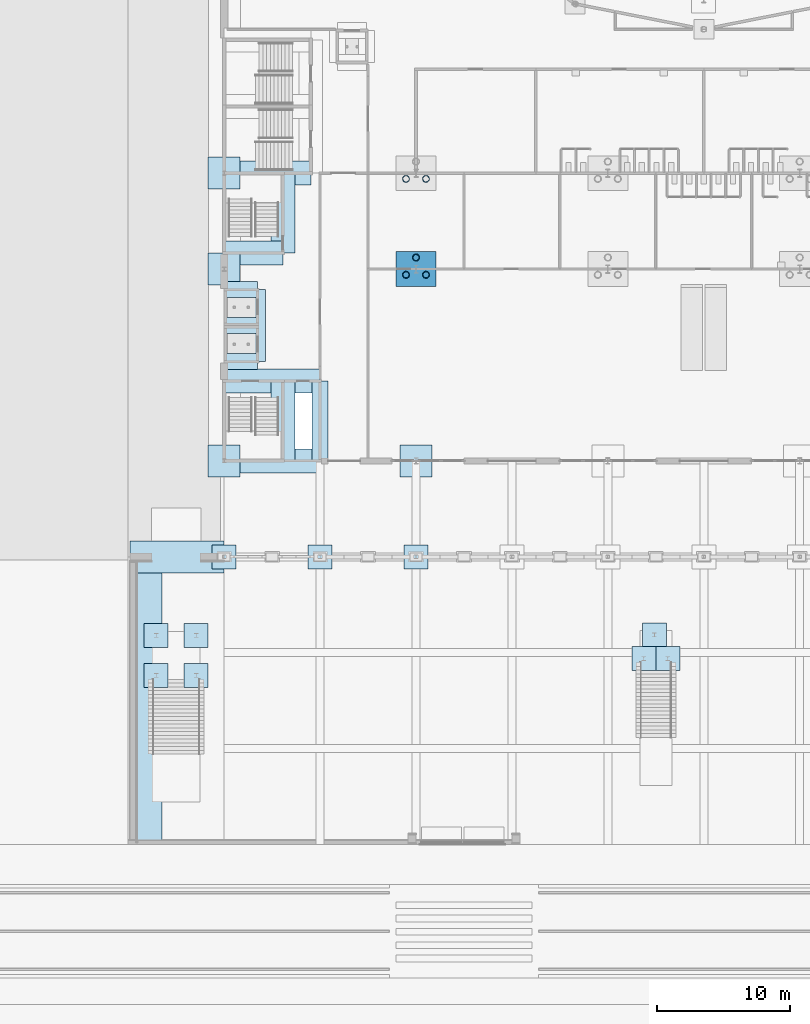
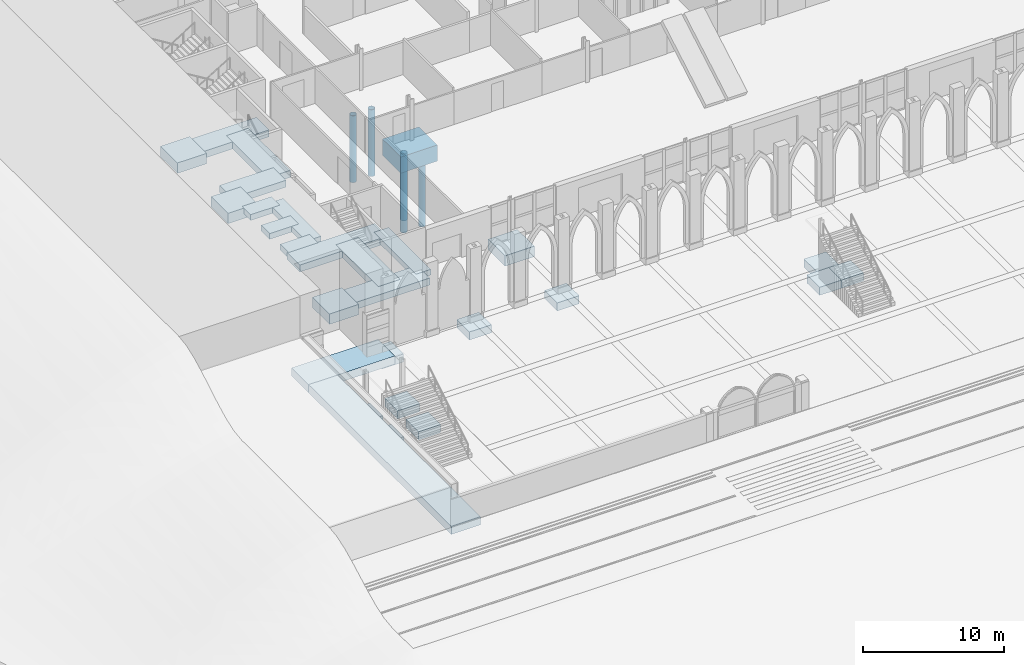
# One storey, part 1 of 148: 28 footings, 5 piles.
"""IFC4 building model written with IfcOpenShell, lengths in metres."""

from ifc_helpers import new_model, si_unit, direction, frame, origin, origin_2d, place, context, subcontext, project, spatial, rectangle, hollow_circle, extrude, material, layer, layer_set, material_profile, profile_set, type_object, element, save


model = new_model("IFC4")

# Units and contexts
model_context = context("Model", 3, precision=1e-05, world=origin(), true_north=direction((0.0, 1.0)))
body_context = subcontext(model_context, "Body", "Model", "MODEL_VIEW")
ifc_project = project(units=[si_unit("LENGTHUNIT", "METRE"), si_unit("AREAUNIT", "SQUARE_METRE"), si_unit("VOLUMEUNIT", "CUBIC_METRE"), si_unit("PLANEANGLEUNIT", "RADIAN"), si_unit("MASSUNIT", "GRAM", prefix="KILO")], contexts=[model_context])

# Site, building, storey
site_placement = place(None, origin())
site = spatial("IfcSite", under=ifc_project, at=site_placement, CompositionType="ELEMENT")
building_placement = place(site_placement, origin())
building = spatial("IfcBuilding", under=site, at=building_placement, Name="Kupolbacken Congress Centre", CompositionType="ELEMENT")
storey_placement = place(building_placement, origin())
storey = spatial("IfcBuildingStorey", under=building, at=storey_placement, Name="L00", CompositionType="ELEMENT", Elevation=0.0)

# Footings
ifc_material_1 = material(Name="Concrete C30/37", Category="concrete")
ifc_layer_1 = layer(ifc_material_1, 1.39990234375)
ifc_layer_set_1 = layer_set([ifc_layer_1], Name="Concrete C30/37")
footing_type_1 = type_object("IfcFootingType", Name="PC5 pile cap 3.00 x 2.60 x 1.40 m", PredefinedType="PILE_CAP", material=ifc_layer_set_1)
footing_1_placement = place(storey_placement, frame((21.60009765625, 43.199951171875, -1.699951171875), z_axis=(0.0, 0.0, 1.0), x_axis=(1.0, 0.0, 0.0)))
element("IfcFooting", 1, at=footing_1_placement, inside=storey, type_object=footing_type_1, Name="S/fnd/C-F-4G/cap", PredefinedType="PILE_CAP", context=body_context, shape_type="SweptSolid", body=[
    extrude(rectangle(XDim=3.0, YDim=2.60009765625, at=origin_2d()), origin(), (0.0, 0.0, 1.0), 1.39990234375),
])
ifc_material_2 = material(Name="Concrete C30/37", Category="concrete")
ifc_layer_2 = layer(ifc_material_2, 0.89990234375)
ifc_layer_set_2 = layer_set([ifc_layer_2], Name="Concrete C30/37")
footing_type_2 = type_object("IfcFootingType", Name="PD1 pad footing 2.40 x 2.40 x 0.90 m", PredefinedType="PAD_FOOTING", material=ifc_layer_set_2)
for number, where, z_axis, x_axis, name in (
    (2, (7.199951171875, 28.800048828125, -1.199951171875), (0.0, 0.0, 1.0), (1.0, 0.0, 0.0), "S/fnd/C-F-2E"),
    (3, (7.199951171875, 43.199951171875, -1.199951171875), (0.0, 0.0, 1.0), (1.0, 0.0, 0.0), "S/fnd/C-F-2G"),
    (4, (7.199951171875, 50.39990234375, -1.199951171875), (0.0, 0.0, 1.0), (1.0, 0.0, 0.0), "S/fnd/C-F-2H"),
    (5, (21.60009765625, 28.800048828125, -1.199951171875), (0.0, 0.0, 1.0), (1.0, 0.0, 0.0), "S/fnd/C-F-4E"),
):
    element("IfcFooting", number, at=place(storey_placement, frame(where, z_axis=z_axis, x_axis=x_axis)), inside=storey, type_object=footing_type_2, Name=name, PredefinedType="PAD_FOOTING", context=body_context, shape_type="SweptSolid", body=[
        extrude(rectangle(XDim=2.39990234375, YDim=2.39990234375, at=origin_2d()), origin(), (0.0, 0.0, 1.0), 0.89990234375),
    ])
ifc_material_3 = material(Name="Concrete C30/37", Category="concrete")
ifc_layer_3 = layer(ifc_material_3, 0.699951171875)
ifc_layer_set_3 = layer_set([ifc_layer_3], Name="Concrete C30/37")
footing_type_3 = type_object("IfcFootingType", Name="PD4 pad footing 1.80 x 1.80 x 0.70 m", PredefinedType="PAD_FOOTING", material=ifc_layer_set_3)
for number, where, z_axis, x_axis, name in (
    (6, (7.199951171875, 21.60009765625, -1.0), (0.0, 0.0, 1.0), (1.0, 0.0, 0.0), "S/fnd/C-AR-2"),
    (7, (14.39990234375, 21.60009765625, -1.0), (0.0, 0.0, 1.0), (1.0, 0.0, 0.0), "S/fnd/C-AR-3"),
    (8, (21.60009765625, 21.60009765625, -1.0), (0.0, 0.0, 1.0), (1.0, 0.0, 0.0), "S/fnd/C-AR-4"),
    (9, (40.5, 13.949951171875, -1.0), (0.0, 0.0, 1.0), (1.0, 0.0, 0.0), "C/xpad/XS4/2"),
    (10, (39.5, 15.75, -1.0), (0.0, 0.0, 1.0), (1.0, 0.0, 0.0), "C/xpad/XS4/3"),
    (11, (38.699951171875, 13.949951171875, -1.0), (0.0, 0.0, 1.0), (1.0, 0.0, 0.0), "C/xpad/XS4/1"),
    (12, (5.10009765625, 12.699951171875, -1.0), (0.0, 0.0, 1.0), (1.0, 0.0, 0.0), "C/xpad/XS1/2"),
    (13, (5.10009765625, 15.699951171875, -1.0), (0.0, 0.0, 1.0), (1.0, 0.0, 0.0), "C/xpad/XS1/4"),
    (14, (2.10009765625, 12.699951171875, -1.0), (0.0, 0.0, 1.0), (1.0, 0.0, 0.0), "C/xpad/XS1/1"),
    (15, (2.10009765625, 15.699951171875, -1.0), (0.0, 0.0, 1.0), (1.0, 0.0, 0.0), "C/xpad/XS1/3"),
):
    element("IfcFooting", number, at=place(storey_placement, frame(where, z_axis=z_axis, x_axis=x_axis)), inside=storey, type_object=footing_type_3, Name=name, PredefinedType="PAD_FOOTING", context=body_context, shape_type="SweptSolid", body=[
        extrude(rectangle(XDim=1.800048828125, YDim=1.800048828125, at=origin_2d()), origin(), (0.0, 0.0, 1.0), 0.699951171875),
    ])

# Piles
ifc_material_4 = material(Name="Steel S355", Category="steel")
ifc_material_profile = material_profile(ifc_material_4, hollow_circle(Radius=0.25390625, WallThickness=0.02001953125, at=origin_2d()), Name="CHS 508 x 20")
ifc_profile_set = profile_set([ifc_material_profile], Name="Steel S355")
pile_type = type_object("IfcPileType", Name="PL3 steel tube pile CHS 508 x 20", PredefinedType="BORED", material=ifc_profile_set)
for number, where, z_axis, x_axis, name in (
    (16, (20.85009765625, 42.7666015625, -1.699951171875), (0.0, 0.0, -1.0), (1.0, 0.0, 0.0), "S/fnd/C-F-4G/pile1"),
    (17, (22.35009765625, 42.7666015625, -1.699951171875), (0.0, 0.0, -1.0), (1.0, 0.0, 0.0), "S/fnd/C-F-4G/pile2"),
    (18, (21.60009765625, 44.0654296875, -1.699951171875), (0.0, 0.0, -1.0), (1.0, 0.0, 0.0), "S/fnd/C-F-4G/pile3"),
    (19, (20.85009765625, 49.966552734375, -1.699951171875), (0.0, 0.0, -1.0), (1.0, 0.0, 0.0), "S/fnd/C-F-4H/pile1"),
    (20, (22.35009765625, 49.966552734375, -1.699951171875), (0.0, 0.0, -1.0), (1.0, 0.0, 0.0), "S/fnd/C-F-4H/pile2"),
):
    element("IfcPile", number, at=place(storey_placement, frame(where, z_axis=z_axis, x_axis=x_axis)), inside=storey, type_object=pile_type, Name=name, PredefinedType="BORED", context=body_context, shape_type="SweptSolid", body=[
        extrude(hollow_circle(Radius=0.25390625, WallThickness=0.02001953125, at=origin_2d()), origin(), (0.0, 0.0, 1.0), 5.800048828125),
    ])

# Footings
ifc_material_5 = material(Name="Concrete C30/37", Category="concrete")
ifc_layer_4 = layer(ifc_material_5, 0.5)
ifc_layer_set_4 = layer_set([ifc_layer_4], Name="Concrete C30/37")
footing_type_4 = type_object("IfcFootingType", Name="SF1 strip footing 1.20 x 0.50 m", PredefinedType="STRIP_FOOTING", material=ifc_layer_set_4)
footing_2_placement = place(storey_placement, frame((14.39990234375, 31.800048828125, -0.800048828125), z_axis=(0.0, 0.0, 1.0), x_axis=(0.0, 1.0, 0.0)))
element("IfcFooting", 21, at=footing_2_placement, inside=storey, type_object=footing_type_4, Name="S/fnd/core/003", PredefinedType="STRIP_FOOTING", context=body_context, shape_type="SweptSolid", body=[
    extrude(rectangle(XDim=6.0, YDim=1.199951171875, at=origin_2d()), origin(), (0.0, 0.0, 1.0), 0.5),
])
footing_3_placement = place(storey_placement, frame((8.5, 36.25, -0.800048828125), z_axis=(0.0, 0.0, 1.0), x_axis=(1.0, 0.0, 0.0)))
element("IfcFooting", 22, at=footing_3_placement, inside=storey, type_object=footing_type_4, Name="S/fnd/lift/001", PredefinedType="STRIP_FOOTING", context=body_context, shape_type="SweptSolid", body=[
    extrude(rectangle(XDim=2.39990234375, YDim=1.199951171875, at=origin_2d()), origin(), (0.0, 0.0, 1.0), 0.5),
])
footing_4_placement = place(storey_placement, frame((9.699951171875, 38.949951171875, -0.800048828125), z_axis=(0.0, 0.0, 1.0), x_axis=(0.0, 1.0, 0.0)))
element("IfcFooting", 23, at=footing_4_placement, inside=storey, type_object=footing_type_4, Name="S/fnd/lift/002", PredefinedType="STRIP_FOOTING", context=body_context, shape_type="SweptSolid", body=[
    extrude(rectangle(XDim=5.39990234375, YDim=1.199951171875, at=origin_2d()), origin(), (0.0, 0.0, 1.0), 0.5),
])
for number, where, z_axis, x_axis, name in (
    (24, (8.5, 38.949951171875, -0.800048828125), (0.0, 0.0, 1.0), (1.0, 0.0, 0.0), "S/fnd/lift/003"),
    (25, (8.5, 41.64990234375, -0.800048828125), (0.0, 0.0, 1.0), (1.0, 0.0, 0.0), "S/fnd/lift/007"),
):
    element("IfcFooting", number, at=place(storey_placement, frame(where, z_axis=z_axis, x_axis=x_axis)), inside=storey, type_object=footing_type_4, Name=name, PredefinedType="STRIP_FOOTING", context=body_context, shape_type="SweptSolid", body=[
        extrude(rectangle(XDim=2.39990234375, YDim=1.199951171875, at=origin_2d()), origin(), (0.0, 0.0, 1.0), 0.5),
    ])
ifc_material_6 = material(Name="Concrete C30/37", Category="concrete")
ifc_layer_5 = layer(ifc_material_6, 0.60009765625)
ifc_layer_set_5 = layer_set([ifc_layer_5], Name="Concrete C30/37")
footing_type_5 = type_object("IfcFootingType", Name="SF2 strip footing 1.80 x 0.60 m", PredefinedType="STRIP_FOOTING", material=ifc_layer_set_5)
footing_5_placement = place(storey_placement, frame((10.800048828125, 28.800048828125, -0.900146484375), z_axis=(0.0, 0.0, 1.0), x_axis=(1.0, 0.0, 0.0)))
element("IfcFooting", 26, at=footing_5_placement, inside=storey, type_object=footing_type_5, Name="S/fnd/core/000", PredefinedType="STRIP_FOOTING", context=body_context, shape_type="SweptSolid", body=[
    extrude(rectangle(XDim=7.199951171875, YDim=1.800048828125, at=origin_2d()), origin(), (0.0, 0.0, 1.0), 0.60009765625),
])
footing_6_placement = place(storey_placement, frame((11.60009765625, 31.800048828125, -0.900146484375), z_axis=(0.0, 0.0, 1.0), x_axis=(0.0, 1.0, 0.0)))
element("IfcFooting", 27, at=footing_6_placement, inside=storey, type_object=footing_type_5, Name="S/fnd/core/002", PredefinedType="STRIP_FOOTING", context=body_context, shape_type="SweptSolid", body=[
    extrude(rectangle(XDim=6.0, YDim=1.800048828125, at=origin_2d()), origin(), (0.0, 0.0, 1.0), 0.60009765625),
])
footing_7_placement = place(storey_placement, frame((10.800048828125, 34.800048828125, -0.900146484375), z_axis=(0.0, 0.0, 1.0), x_axis=(1.0, 0.0, 0.0)))
element("IfcFooting", 28, at=footing_7_placement, inside=storey, type_object=footing_type_5, Name="S/fnd/core/008", PredefinedType="STRIP_FOOTING", context=body_context, shape_type="SweptSolid", body=[
    extrude(rectangle(XDim=7.199951171875, YDim=1.800048828125, at=origin_2d()), origin(), (0.0, 0.0, 1.0), 0.60009765625),
])
footing_8_placement = place(storey_placement, frame((9.39990234375, 44.39990234375, -0.900146484375), z_axis=(0.0, 0.0, 1.0), x_axis=(1.0, 0.0, 0.0)))
element("IfcFooting", 29, at=footing_8_placement, inside=storey, type_object=footing_type_5, Name="S/fnd/core/014", PredefinedType="STRIP_FOOTING", context=body_context, shape_type="SweptSolid", body=[
    extrude(rectangle(XDim=4.39990234375, YDim=1.800048828125, at=origin_2d()), origin(), (0.0, 0.0, 1.0), 0.60009765625),
])
footing_9_placement = place(storey_placement, frame((11.60009765625, 47.39990234375, -0.900146484375), z_axis=(0.0, 0.0, 1.0), x_axis=(0.0, 1.0, 0.0)))
element("IfcFooting", 30, at=footing_9_placement, inside=storey, type_object=footing_type_5, Name="S/fnd/core/015", PredefinedType="STRIP_FOOTING", context=body_context, shape_type="SweptSolid", body=[
    extrude(rectangle(XDim=6.0, YDim=1.800048828125, at=origin_2d()), origin(), (0.0, 0.0, 1.0), 0.60009765625),
])
footing_10_placement = place(storey_placement, frame((10.449951171875, 50.39990234375, -0.900146484375), z_axis=(0.0, 0.0, 1.0), x_axis=(1.0, 0.0, 0.0)))
element("IfcFooting", 31, at=footing_10_placement, inside=storey, type_object=footing_type_5, Name="S/fnd/core/024", PredefinedType="STRIP_FOOTING", context=body_context, shape_type="SweptSolid", body=[
    extrude(rectangle(XDim=6.5, YDim=1.800048828125, at=origin_2d()), origin(), (0.0, 0.0, 1.0), 0.60009765625),
])
ifc_material_7 = material(Name="Concrete C30/37", Category="concrete")
ifc_layer_6 = layer(ifc_material_7, 0.699951171875)
ifc_layer_set_6 = layer_set([ifc_layer_6], Name="Concrete C30/37")
footing_type_6 = type_object("IfcFootingType", Name="SF3 strip footing 2.40 x 0.70 m", PredefinedType="STRIP_FOOTING", material=ifc_layer_set_6)
footing_11_placement = place(storey_placement, frame((3.6650390625, 21.60009765625, -0.7001953125), z_axis=(0.0, 0.0, 1.0), x_axis=(1.0, 0.0, 0.0)))
element("IfcFooting", 32, at=footing_11_placement, inside=storey, type_object=footing_type_6, Name="S/rw/RW1-2/F", PredefinedType="STRIP_FOOTING", context=body_context, shape_type="SweptSolid", body=[
    extrude(rectangle(XDim=7.070068359375, YDim=2.39990234375, at=origin_2d()), origin(), (0.0, 0.0, 1.0), 0.699951171875),
])
footing_12_placement = place(storey_placement, frame((1.330078125, 10.4150390625, -0.7001953125), z_axis=(0.0, 0.0, 1.0), x_axis=(0.0, 1.0, 0.0)))
element("IfcFooting", 33, at=footing_12_placement, inside=storey, type_object=footing_type_6, Name="S/rw/RW5/F", PredefinedType="STRIP_FOOTING", context=body_context, shape_type="SweptSolid", body=[
    extrude(rectangle(XDim=20.570068359375, YDim=2.39990234375, at=origin_2d()), origin(), (0.0, 0.0, 1.0), 0.699951171875),
])

save(model, "model.ifc")
